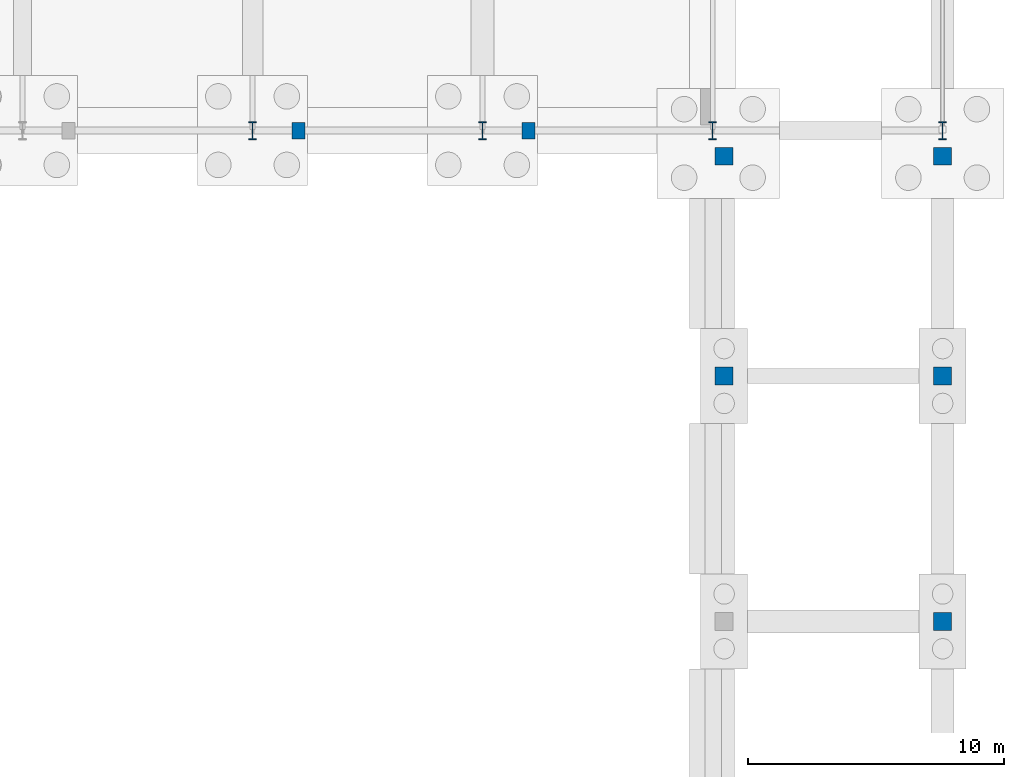
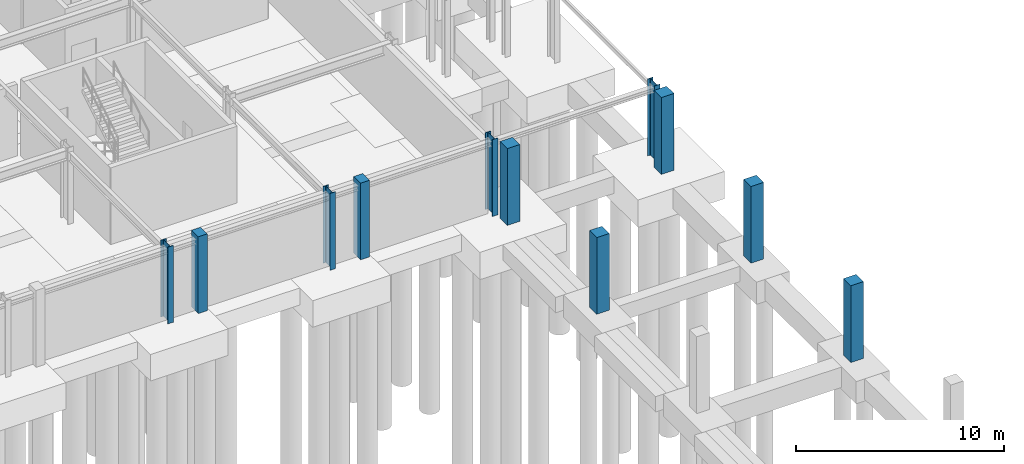
# One storey, part 27 of 59: 11 columns.
"""IFC4 building model written with IfcOpenShell, lengths in metres."""

from ifc_helpers import new_model, si_unit, direction, frame, origin, origin_2d, place, context, subcontext, project, spatial, rectangle, i_section, extrude, material, material_profile, profile_set, type_object, element, save


model = new_model("IFC4")

# Units and contexts
model_context = context("Model", 3, precision=1e-05, world=origin(), true_north=direction((0.0, 1.0)))
body_context = subcontext(model_context, "Body", "Model", "MODEL_VIEW")
ifc_project = project(units=[si_unit("LENGTHUNIT", "METRE"), si_unit("AREAUNIT", "SQUARE_METRE"), si_unit("VOLUMEUNIT", "CUBIC_METRE"), si_unit("PLANEANGLEUNIT", "RADIAN"), si_unit("MASSUNIT", "GRAM", prefix="KILO")], contexts=[model_context])

# Site, building, storey
site_placement = place(None, origin())
site = spatial("IfcSite", under=ifc_project, at=site_placement, CompositionType="ELEMENT")
building_placement = place(site_placement, origin())
building = spatial("IfcBuilding", under=site, at=building_placement, Name="Myrtia Square Station", CompositionType="ELEMENT")
storey_placement = place(building_placement, frame((0.0, 0.0, -4.5)))
storey = spatial("IfcBuildingStorey", under=building, at=storey_placement, Name="B01", CompositionType="ELEMENT", Elevation=-4.5)

# Columns
ifc_material_1 = material(Name="Steel S355", Category="steel")
ifc_material_profile_1 = material_profile(ifc_material_1, i_section(OverallWidth=0.300048828125, OverallDepth=0.699951171875, WebThickness=0.01708984375, FlangeThickness=0.031982421875, FilletRadius=0.027099609375, at=origin_2d()), Name="HEB 700")
ifc_profile_set_1 = profile_set([ifc_material_profile_1], Name="Steel S355")
column_type_1 = type_object("IfcColumnType", Name="COL-HEB700", PredefinedType="COLUMN", material=ifc_profile_set_1)
for number, where, z_axis, x_axis, name in (
    (1, (162.0, 86.39990234375, 0.0), (0.0, 0.0, 1.0), (1.0, 0.0, 0.0), "Column B01-0898"),
    (2, (171.0, 86.39990234375, 0.0), (0.0, 0.0, 1.0), (1.0, 0.0, 0.0), "Column B01-0928"),
    (3, (180.0, 86.39990234375, 0.0), (0.0, 0.0, 1.0), (1.0, 0.0, 0.0), "Column B01-0958"),
    (4, (189.0, 86.39990234375, 0.0), (0.0, 0.0, 1.0), (1.0, 0.0, 0.0), "Column B01-0988"),
):
    element("IfcColumn", number, at=place(storey_placement, frame(where, z_axis=z_axis, x_axis=x_axis)), inside=storey, type_object=column_type_1, Name=name, PredefinedType="COLUMN", context=body_context, shape_type="SweptSolid", body=[
        extrude(i_section(OverallWidth=0.300048828125, OverallDepth=0.699951171875, WebThickness=0.01708984375, FlangeThickness=0.031982421875, FilletRadius=0.027099609375, at=origin_2d()), origin(), (0.0, 0.0, 1.0), 4.5),
    ])
ifc_material_2 = material(Name="Concrete C40/50", Category="concrete")
ifc_material_profile_2 = material_profile(ifc_material_2, rectangle(XDim=0.699951171875, YDim=0.699951171875, at=origin_2d()), Name="RC 700x700")
ifc_profile_set_2 = profile_set([ifc_material_profile_2], Name="Concrete C40/50")
column_type_2 = type_object("IfcColumnType", Name="COL-RC700", PredefinedType="COLUMN", material=ifc_profile_set_2)
for number, where, z_axis, x_axis, name in (
    (5, (180.449951171875, 76.800048828125, 0.0), (0.0, 0.0, 1.0), (1.0, 0.0, 0.0), "Column B01-0489"),
    (6, (180.449951171875, 85.39990234375, 0.0), (0.0, 0.0, 1.0), (1.0, 0.0, 0.0), "Column B01-0491"),
    (7, (189.0, 67.199951171875, 0.0), (0.0, 0.0, 1.0), (1.0, 0.0, 0.0), "Column B01-0499"),
    (8, (189.0, 76.800048828125, 0.0), (0.0, 0.0, 1.0), (1.0, 0.0, 0.0), "Column B01-0501"),
    (9, (189.0, 85.39990234375, 0.0), (0.0, 0.0, 1.0), (1.0, 0.0, 0.0), "Column B01-0503"),
):
    element("IfcColumn", number, at=place(storey_placement, frame(where, z_axis=z_axis, x_axis=x_axis)), inside=storey, type_object=column_type_2, Name=name, PredefinedType="COLUMN", context=body_context, shape_type="SweptSolid", body=[
        extrude(rectangle(XDim=0.699951171875, YDim=0.699951171875, at=origin_2d()), origin(), (0.0, 0.0, 1.0), 4.5),
    ])
ifc_material_profile_3 = material_profile(ifc_material_2, rectangle(XDim=0.5, YDim=0.64990234375, at=origin_2d()), Name="PIL 500x650")
ifc_profile_set_3 = profile_set([ifc_material_profile_3], Name="Concrete C40/50")
column_type_3 = type_object("IfcColumnType", Name="PIL-RC500x650", PredefinedType="PILASTER", material=ifc_profile_set_3)
for number, where, z_axis, x_axis, name in (
    (10, (163.800048828125, 86.39990234375, 0.0), (0.0, 0.0, 1.0), (1.0, 0.0, 0.0), "Portales arcade pilaster B01-18"),
    (11, (172.800048828125, 86.39990234375, 0.0), (0.0, 0.0, 1.0), (1.0, 0.0, 0.0), "Portales arcade pilaster B01-19"),
):
    element("IfcColumn", number, at=place(storey_placement, frame(where, z_axis=z_axis, x_axis=x_axis)), inside=storey, type_object=column_type_3, Name=name, PredefinedType="PILASTER", context=body_context, shape_type="SweptSolid", body=[
        extrude(rectangle(XDim=0.5, YDim=0.64990234375, at=origin_2d()), origin(), (0.0, 0.0, 1.0), 4.5),
    ])

save(model, "model.ifc")
